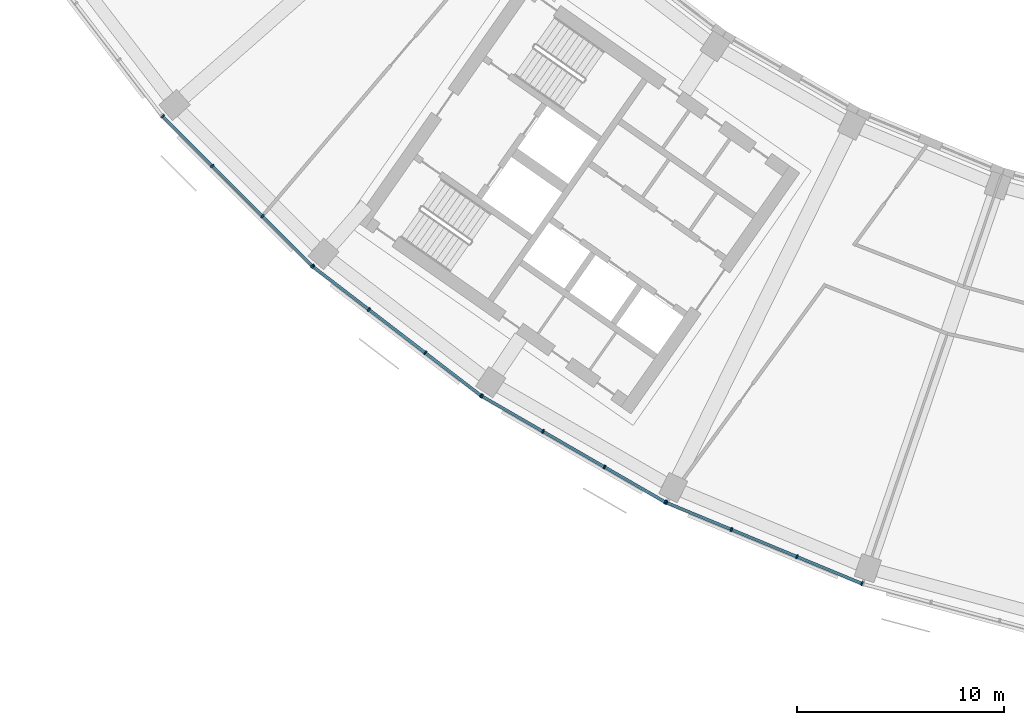
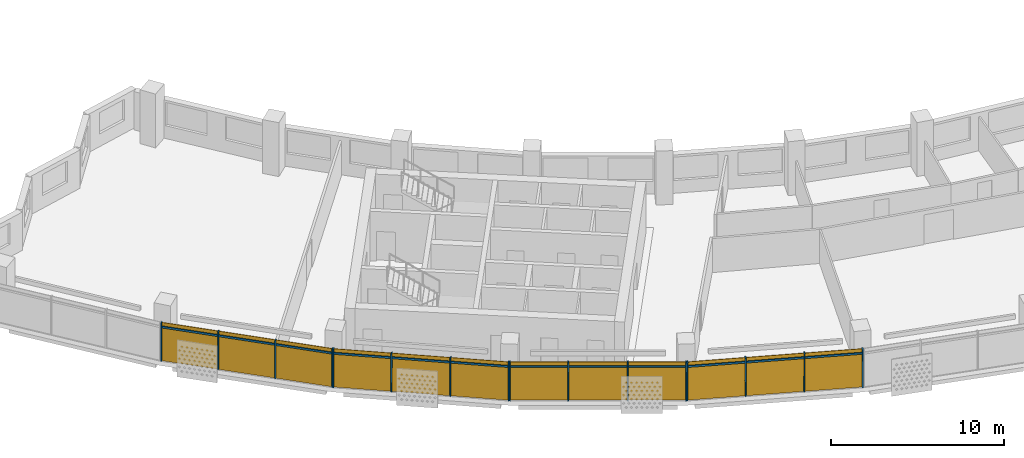
# One storey, part 17 of 27: 28 members, 4 curtain walls.
"""IFC4 building model written with IfcOpenShell, lengths in metres."""

from ifc_helpers import new_model, si_unit, direction, frame, origin, origin_2d, place, context, subcontext, project, spatial, rectangle, extrude, material, material_profile, profile_set, type_object, element, aggregate, save


model = new_model("IFC4")

# Units and contexts
model_context = context("Model", 3, precision=1e-05, world=origin(), true_north=direction((0.0, 1.0)))
body_context = subcontext(model_context, "Body", "Model", "MODEL_VIEW")
ifc_project = project(units=[si_unit("LENGTHUNIT", "METRE"), si_unit("AREAUNIT", "SQUARE_METRE"), si_unit("VOLUMEUNIT", "CUBIC_METRE"), si_unit("PLANEANGLEUNIT", "RADIAN"), si_unit("MASSUNIT", "GRAM", prefix="KILO")], contexts=[model_context])

# Member
ifc_material = material(Name="Aluminium 6063-T6 anodised", Category="aluminium")
ifc_material_profile_1 = material_profile(ifc_material, rectangle(XDim=0.199951171875, YDim=0.070068359375, at=origin_2d()))
ifc_profile_set_1 = profile_set([ifc_material_profile_1], Name="Aluminium 6063-T6 anodised")
member_type_1 = type_object("IfcMemberType", Name="Mullion 70 x 200 aluminium", PredefinedType="MULLION", material=ifc_profile_set_1)
site_placement = place(None, origin())
building_placement = place(site_placement, origin())
storey_placement = place(building_placement, frame((0.0, 0.0, 222.699951171875)))
member_1_placement = place(storey_placement, frame((-59.03662109375, -51.8115234375, 0.0), z_axis=(0.0, 0.0, 1.0), x_axis=(0.707106781187, 0.707106781187, 0.0)))
member_1 = element("IfcMember", 1, at=member_1_placement, type_object=member_type_1, Name="e-cw1-L53-out02/M00", PredefinedType="MULLION", context=body_context, shape_type="SweptSolid", body=[
    extrude(rectangle(XDim=0.199951171875, YDim=0.070068359375, at=origin_2d()), origin(), (0.0, 0.0, 1.0), 2.699951171875),
])

member_2_placement = place(storey_placement, frame((-56.63671875, -54.211669921875, 0.0), z_axis=(0.0, 0.0, 1.0), x_axis=(0.707106781187, 0.707106781187, 0.0)))
member_2 = element("IfcMember", 2, at=member_2_placement, type_object=member_type_1, Name="e-cw1-L53-out02/M01", PredefinedType="MULLION", context=body_context, shape_type="SweptSolid", body=[
    extrude(rectangle(XDim=0.199951171875, YDim=0.070068359375, at=origin_2d()), origin(), (0.0, 0.0, 1.0), 2.699951171875),
])

member_3_placement = place(storey_placement, frame((-54.211669921875, -56.63671875, 0.0), z_axis=(0.0, 0.0, 1.0), x_axis=(0.707106781187, 0.707106781187, 0.0)))
member_3 = element("IfcMember", 3, at=member_3_placement, type_object=member_type_1, Name="e-cw1-L53-out02/M02", PredefinedType="MULLION", context=body_context, shape_type="SweptSolid", body=[
    extrude(rectangle(XDim=0.199951171875, YDim=0.070068359375, at=origin_2d()), origin(), (0.0, 0.0, 1.0), 2.699951171875),
])

member_4_placement = place(storey_placement, frame((-51.8115234375, -59.03662109375, 0.0), z_axis=(0.0, 0.0, 1.0), x_axis=(0.707106781187, 0.707106781187, 0.0)))
member_4 = element("IfcMember", 4, at=member_4_placement, type_object=member_type_1, Name="e-cw1-L53-out02/M03", PredefinedType="MULLION", context=body_context, shape_type="SweptSolid", body=[
    extrude(rectangle(XDim=0.199951171875, YDim=0.070068359375, at=origin_2d()), origin(), (0.0, 0.0, 1.0), 2.699951171875),
])

member_5_placement = place(storey_placement, frame((-51.768798828125, -59.07421875, 0.0), z_axis=(0.0, 0.0, 1.0), x_axis=(0.608761429009, 0.793353340291, 0.0)))
member_5 = element("IfcMember", 5, at=member_5_placement, type_object=member_type_1, Name="e-cw1-L53-out03/M00", PredefinedType="MULLION", context=body_context, shape_type="SweptSolid", body=[
    extrude(rectangle(XDim=0.199951171875, YDim=0.070068359375, at=origin_2d()), origin(), (0.0, 0.0, 1.0), 2.699951171875),
])

member_6_placement = place(storey_placement, frame((-49.075927734375, -61.140380859375, 0.0), z_axis=(0.0, 0.0, 1.0), x_axis=(0.608761429009, 0.793353340291, 0.0)))
member_6 = element("IfcMember", 6, at=member_6_placement, type_object=member_type_1, Name="e-cw1-L53-out03/M01", PredefinedType="MULLION", context=body_context, shape_type="SweptSolid", body=[
    extrude(rectangle(XDim=0.199951171875, YDim=0.070068359375, at=origin_2d()), origin(), (0.0, 0.0, 1.0), 2.699951171875),
])

member_7_placement = place(storey_placement, frame((-46.35546875, -63.22802734375, 0.0), z_axis=(0.0, 0.0, 1.0), x_axis=(0.608761429009, 0.793353340291, 0.0)))
member_7 = element("IfcMember", 7, at=member_7_placement, type_object=member_type_1, Name="e-cw1-L53-out03/M02", PredefinedType="MULLION", context=body_context, shape_type="SweptSolid", body=[
    extrude(rectangle(XDim=0.199951171875, YDim=0.070068359375, at=origin_2d()), origin(), (0.0, 0.0, 1.0), 2.699951171875),
])

member_8_placement = place(storey_placement, frame((-43.66259765625, -65.29443359375, 0.0), z_axis=(0.0, 0.0, 1.0), x_axis=(0.608761429009, 0.793353340291, 0.0)))
member_8 = element("IfcMember", 8, at=member_8_placement, type_object=member_type_1, Name="e-cw1-L53-out03/M03", PredefinedType="MULLION", context=body_context, shape_type="SweptSolid", body=[
    extrude(rectangle(XDim=0.199951171875, YDim=0.070068359375, at=origin_2d()), origin(), (0.0, 0.0, 1.0), 2.699951171875),
])

member_9_placement = place(storey_placement, frame((-43.615234375, -65.325927734375, 0.0), z_axis=(0.0, 0.0, 1.0), x_axis=(0.5, 0.866025403784, 0.0)))
member_9 = element("IfcMember", 9, at=member_9_placement, type_object=member_type_1, Name="e-cw1-L53-out04/M00", PredefinedType="MULLION", context=body_context, shape_type="SweptSolid", body=[
    extrude(rectangle(XDim=0.199951171875, YDim=0.070068359375, at=origin_2d()), origin(), (0.0, 0.0, 1.0), 2.699951171875),
])

member_10_placement = place(storey_placement, frame((-40.67578125, -67.023193359375, 0.0), z_axis=(0.0, 0.0, 1.0), x_axis=(0.5, 0.866025403784, 0.0)))
member_10 = element("IfcMember", 10, at=member_10_placement, type_object=member_type_1, Name="e-cw1-L53-out04/M01", PredefinedType="MULLION", context=body_context, shape_type="SweptSolid", body=[
    extrude(rectangle(XDim=0.199951171875, YDim=0.070068359375, at=origin_2d()), origin(), (0.0, 0.0, 1.0), 2.699951171875),
])

member_11_placement = place(storey_placement, frame((-37.705810546875, -68.73779296875, 0.0), z_axis=(0.0, 0.0, 1.0), x_axis=(0.5, 0.866025403784, 0.0)))
member_11 = element("IfcMember", 11, at=member_11_placement, type_object=member_type_1, Name="e-cw1-L53-out04/M02", PredefinedType="MULLION", context=body_context, shape_type="SweptSolid", body=[
    extrude(rectangle(XDim=0.199951171875, YDim=0.070068359375, at=origin_2d()), origin(), (0.0, 0.0, 1.0), 2.699951171875),
])

member_12_placement = place(storey_placement, frame((-34.766357421875, -70.43505859375, 0.0), z_axis=(0.0, 0.0, 1.0), x_axis=(0.5, 0.866025403784, 0.0)))
member_12 = element("IfcMember", 12, at=member_12_placement, type_object=member_type_1, Name="e-cw1-L53-out04/M03", PredefinedType="MULLION", context=body_context, shape_type="SweptSolid", body=[
    extrude(rectangle(XDim=0.199951171875, YDim=0.070068359375, at=origin_2d()), origin(), (0.0, 0.0, 1.0), 2.699951171875),
])

member_13_placement = place(storey_placement, frame((-34.71533203125, -70.4599609375, 0.0), z_axis=(0.0, 0.0, 1.0), x_axis=(0.382683432365, 0.923879532511, 0.0)))
member_13 = element("IfcMember", 13, at=member_13_placement, type_object=member_type_1, Name="e-cw1-L53-out05/M00", PredefinedType="MULLION", context=body_context, shape_type="SweptSolid", body=[
    extrude(rectangle(XDim=0.199951171875, YDim=0.070068359375, at=origin_2d()), origin(), (0.0, 0.0, 1.0), 2.699951171875),
])

member_14_placement = place(storey_placement, frame((-31.57958984375, -71.759033203125, 0.0), z_axis=(0.0, 0.0, 1.0), x_axis=(0.382683432365, 0.923879532511, 0.0)))
member_14 = element("IfcMember", 14, at=member_14_placement, type_object=member_type_1, Name="e-cw1-L53-out05/M01", PredefinedType="MULLION", context=body_context, shape_type="SweptSolid", body=[
    extrude(rectangle(XDim=0.199951171875, YDim=0.070068359375, at=origin_2d()), origin(), (0.0, 0.0, 1.0), 2.699951171875),
])

member_15_placement = place(storey_placement, frame((-28.4111328125, -73.0712890625, 0.0), z_axis=(0.0, 0.0, 1.0), x_axis=(0.382683432365, 0.923879532511, 0.0)))
member_15 = element("IfcMember", 15, at=member_15_placement, type_object=member_type_1, Name="e-cw1-L53-out05/M02", PredefinedType="MULLION", context=body_context, shape_type="SweptSolid", body=[
    extrude(rectangle(XDim=0.199951171875, YDim=0.070068359375, at=origin_2d()), origin(), (0.0, 0.0, 1.0), 2.699951171875),
])

member_16_placement = place(storey_placement, frame((-25.275390625, -74.370361328125, 0.0), z_axis=(0.0, 0.0, 1.0), x_axis=(0.382683432365, 0.923879532511, 0.0)))
member_16 = element("IfcMember", 16, at=member_16_placement, type_object=member_type_1, Name="e-cw1-L53-out05/M03", PredefinedType="MULLION", context=body_context, shape_type="SweptSolid", body=[
    extrude(rectangle(XDim=0.199951171875, YDim=0.070068359375, at=origin_2d()), origin(), (0.0, 0.0, 1.0), 2.699951171875),
])

ifc_material_profile_2 = material_profile(ifc_material, rectangle(XDim=0.139892578125, YDim=0.1201171875, at=origin_2d()))
ifc_profile_set_2 = profile_set([ifc_material_profile_2], Name="Aluminium 6063-T6 anodised")
member_type_2 = type_object("IfcMemberType", Name="Transom 120 x 140 aluminium", PredefinedType="USERDEFINED", material=ifc_profile_set_2)
member_17_placement = place(storey_placement, frame((-59.011962890625, -51.83642578125, 2.400146484375), z_axis=(0.707106781187, -0.707106781187, 0.0), x_axis=(0.707106781187, 0.707106781187, 0.0)))
member_17 = element("IfcMember", 17, at=member_17_placement, type_object=member_type_2, Name="e-cw1-L53-out02/T00", ObjectType="TRANSOM", PredefinedType="USERDEFINED", context=body_context, shape_type="SweptSolid", body=[
    extrude(rectangle(XDim=0.139892578125, YDim=0.1201171875, at=origin_2d()), origin(), (0.0, 0.0, 1.0), 3.32421875),
])

member_18_placement = place(storey_placement, frame((-56.61181640625, -54.236572265625, 2.400146484375), z_axis=(0.707106781187, -0.707106781187, 0.0), x_axis=(0.707106781187, 0.707106781187, 0.0)))
member_18 = element("IfcMember", 18, at=member_18_placement, type_object=member_type_2, Name="e-cw1-L53-out02/T01", ObjectType="TRANSOM", PredefinedType="USERDEFINED", context=body_context, shape_type="SweptSolid", body=[
    extrude(rectangle(XDim=0.139892578125, YDim=0.1201171875, at=origin_2d()), origin(), (0.0, 0.0, 1.0), 3.359130859375),
])

member_19_placement = place(storey_placement, frame((-54.18701171875, -56.661376953125, 2.400146484375), z_axis=(0.707106781187, -0.707106781187, 0.0), x_axis=(0.707106781187, 0.707106781187, 0.0)))
member_19 = element("IfcMember", 19, at=member_19_placement, type_object=member_type_2, Name="e-cw1-L53-out02/T02", ObjectType="TRANSOM", PredefinedType="USERDEFINED", context=body_context, shape_type="SweptSolid", body=[
    extrude(rectangle(XDim=0.139892578125, YDim=0.1201171875, at=origin_2d()), origin(), (0.0, 0.0, 1.0), 3.32421875),
])

member_20_placement = place(storey_placement, frame((-51.7412109375, -59.095458984375, 2.400146484375), z_axis=(0.793368713958, -0.608741393132, 0.0), x_axis=(0.608741393132, 0.793368713958, 0.0)))
member_20 = element("IfcMember", 20, at=member_20_placement, type_object=member_type_2, Name="e-cw1-L53-out03/T00", ObjectType="TRANSOM", PredefinedType="USERDEFINED", context=body_context, shape_type="SweptSolid", body=[
    extrude(rectangle(XDim=0.139892578125, YDim=0.1201171875, at=origin_2d()), origin(), (0.0, 0.0, 1.0), 3.324462890625),
])

member_21_placement = place(storey_placement, frame((-49.04833984375, -61.161865234375, 2.400146484375), z_axis=(0.793385234627, -0.608719861247, 0.0), x_axis=(0.608719861247, 0.793385234627, 0.0)))
member_21 = element("IfcMember", 21, at=member_21_placement, type_object=member_type_2, Name="e-cw1-L53-out03/T01", ObjectType="TRANSOM", PredefinedType="USERDEFINED", context=body_context, shape_type="SweptSolid", body=[
    extrude(rectangle(XDim=0.139892578125, YDim=0.1201171875, at=origin_2d()), origin(), (0.0, 0.0, 1.0), 3.359375),
])

member_22_placement = place(storey_placement, frame((-46.32763671875, -63.24951171875, 2.400146484375), z_axis=(0.793368713958, -0.608741393132, 0.0), x_axis=(0.608741393132, 0.793368713958, 0.0)))
member_22 = element("IfcMember", 22, at=member_22_placement, type_object=member_type_2, Name="e-cw1-L53-out03/T02", ObjectType="TRANSOM", PredefinedType="USERDEFINED", context=body_context, shape_type="SweptSolid", body=[
    extrude(rectangle(XDim=0.139892578125, YDim=0.1201171875, at=origin_2d()), origin(), (0.0, 0.0, 1.0), 3.324462890625),
])

member_23_placement = place(storey_placement, frame((-43.5849609375, -65.343505859375, 2.400146484375), z_axis=(0.866029041019, -0.499993700073, 0.0), x_axis=(0.499993700073, 0.866029041019, 0.0)))
member_23 = element("IfcMember", 23, at=member_23_placement, type_object=member_type_2, Name="e-cw1-L53-out04/T00", ObjectType="TRANSOM", PredefinedType="USERDEFINED", context=body_context, shape_type="SweptSolid", body=[
    extrude(rectangle(XDim=0.139892578125, YDim=0.1201171875, at=origin_2d()), origin(), (0.0, 0.0, 1.0), 3.32421875),
])

member_24_placement = place(storey_placement, frame((-40.6455078125, -67.04052734375, 2.400146484375), z_axis=(0.866034314054, -0.499984566643, 0.0), x_axis=(0.499984566643, 0.866034314054, 0.0)))
member_24 = element("IfcMember", 24, at=member_24_placement, type_object=member_type_2, Name="e-cw1-L53-out04/T01", ObjectType="TRANSOM", PredefinedType="USERDEFINED", context=body_context, shape_type="SweptSolid", body=[
    extrude(rectangle(XDim=0.139892578125, YDim=0.1201171875, at=origin_2d()), origin(), (0.0, 0.0, 1.0), 3.359375),
])

member_25_placement = place(storey_placement, frame((-37.675537109375, -68.75537109375, 2.400146484375), z_axis=(0.866029041019, -0.499993700073, 0.0), x_axis=(0.499993700073, 0.866029041019, 0.0)))
member_25 = element("IfcMember", 25, at=member_25_placement, type_object=member_type_2, Name="e-cw1-L53-out04/T02", ObjectType="TRANSOM", PredefinedType="USERDEFINED", context=body_context, shape_type="SweptSolid", body=[
    extrude(rectangle(XDim=0.139892578125, YDim=0.1201171875, at=origin_2d()), origin(), (0.0, 0.0, 1.0), 3.32421875),
])

member_26_placement = place(storey_placement, frame((-34.68310546875, -70.473388671875, 2.400146484375), z_axis=(0.923874511193, -0.382695554676, 0.0), x_axis=(0.382695554676, 0.923874511193, 0.0)))
member_26 = element("IfcMember", 26, at=member_26_placement, type_object=member_type_2, Name="e-cw1-L53-out05/T00", ObjectType="TRANSOM", PredefinedType="USERDEFINED", context=body_context, shape_type="SweptSolid", body=[
    extrude(rectangle(XDim=0.139892578125, YDim=0.1201171875, at=origin_2d()), origin(), (0.0, 0.0, 1.0), 3.324462890625),
])

member_27_placement = place(storey_placement, frame((-31.547119140625, -71.7724609375, 2.400146484375), z_axis=(0.923891938088, -0.38265348128, 0.0), x_axis=(0.38265348128, 0.923891938088, 0.0)))
member_27 = element("IfcMember", 27, at=member_27_placement, type_object=member_type_2, Name="e-cw1-L53-out05/T01", ObjectType="TRANSOM", PredefinedType="USERDEFINED", context=body_context, shape_type="SweptSolid", body=[
    extrude(rectangle(XDim=0.139892578125, YDim=0.1201171875, at=origin_2d()), origin(), (0.0, 0.0, 1.0), 3.359130859375),
])

member_28_placement = place(storey_placement, frame((-28.37890625, -73.084716796875, 2.400146484375), z_axis=(0.923874511193, -0.382695554676, 0.0), x_axis=(0.382695554676, 0.923874511193, 0.0)))
member_28 = element("IfcMember", 28, at=member_28_placement, type_object=member_type_2, Name="e-cw1-L53-out05/T02", ObjectType="TRANSOM", PredefinedType="USERDEFINED", context=body_context, shape_type="SweptSolid", body=[
    extrude(rectangle(XDim=0.139892578125, YDim=0.1201171875, at=origin_2d()), origin(), (0.0, 0.0, 1.0), 3.324462890625),
])

# Site, building, storey
site = spatial("IfcSite", under=ifc_project, at=site_placement, CompositionType="ELEMENT")
building = spatial("IfcBuilding", under=site, at=building_placement, Name="Qamariyya Broadcast Tower", CompositionType="ELEMENT")
storey = spatial("IfcBuildingStorey", under=building, at=storey_placement, Name="L53", CompositionType="ELEMENT", Elevation=222.699951171875)

# Curtain wall
curtain_wall_type = type_object("IfcCurtainWallType", Name="Unitised curtain wall, anodised aluminium", PredefinedType="NOTDEFINED", material=ifc_material)
curtain_wall_1_placement = place(storey_placement, origin())
curtain_wall_1 = element("IfcCurtainWall", 29, at=curtain_wall_1_placement, inside=storey, type_object=curtain_wall_type, Name="e-cw1-L53-out02", PredefinedType="NOTDEFINED", context=body_context, shape_type="SweptSolid", body=[
    extrude(rectangle(XDim=3.32421875, YDim=0.031982421875, at=origin_2d()), frame((-57.836669921875, -53.01171875, 0.0), x_axis=(0.707106781187, -0.707106781187, 0.0)), (0.0, 0.0, 1.0), 2.340087890625),
    extrude(rectangle(XDim=3.32421875, YDim=0.031982421875, at=origin_2d()), frame((-57.836669921875, -53.01171875, 2.4599609375), x_axis=(0.707106781187, -0.707106781187, 0.0)), (0.0, 0.0, 1.0), 0.239990234375),
    extrude(rectangle(XDim=3.359375, YDim=0.031982421875, at=origin_2d()), frame((-55.42431640625, -55.42431640625, 0.0), x_axis=(0.707106781187, -0.707106781187, 0.0)), (0.0, 0.0, 1.0), 2.340087890625),
    extrude(rectangle(XDim=3.359375, YDim=0.031982421875, at=origin_2d()), frame((-55.42431640625, -55.42431640625, 2.4599609375), x_axis=(0.707106781187, -0.707106781187, 0.0)), (0.0, 0.0, 1.0), 0.239990234375),
    extrude(rectangle(XDim=3.32421875, YDim=0.031982421875, at=origin_2d()), frame((-53.01171875, -57.836669921875, 0.0), x_axis=(0.707106781187, -0.707106781187, 0.0)), (0.0, 0.0, 1.0), 2.340087890625),
    extrude(rectangle(XDim=3.32421875, YDim=0.031982421875, at=origin_2d()), frame((-53.01171875, -57.836669921875, 2.4599609375), x_axis=(0.707106781187, -0.707106781187, 0.0)), (0.0, 0.0, 1.0), 0.239990234375),
])

aggregate(curtain_wall_1, [member_1, member_2, member_3, member_4, member_17, member_18, member_19])

curtain_wall_2_placement = place(storey_placement, origin())
curtain_wall_2 = element("IfcCurtainWall", 30, at=curtain_wall_2_placement, inside=storey, type_object=curtain_wall_type, Name="e-cw1-L53-out03", PredefinedType="NOTDEFINED", context=body_context, shape_type="SweptSolid", body=[
    extrude(rectangle(XDim=3.32421875, YDim=0.031982421875, at=origin_2d()), frame((-50.42236328125, -60.107421875, 0.0), x_axis=(0.793359168734, -0.608753833159, 0.0)), (0.0, 0.0, 1.0), 2.340087890625),
    extrude(rectangle(XDim=3.32421875, YDim=0.031982421875, at=origin_2d()), frame((-50.42236328125, -60.107421875, 2.4599609375), x_axis=(0.793359168734, -0.608753833159, 0.0)), (0.0, 0.0, 1.0), 0.239990234375),
    extrude(rectangle(XDim=3.359130859375, YDim=0.031982421875, at=origin_2d()), frame((-47.7158203125, -62.184326171875, 0.0), x_axis=(0.793359168734, -0.608753833159, 0.0)), (0.0, 0.0, 1.0), 2.340087890625),
    extrude(rectangle(XDim=3.359130859375, YDim=0.031982421875, at=origin_2d()), frame((-47.7158203125, -62.184326171875, 2.4599609375), x_axis=(0.793359168734, -0.608753833159, 0.0)), (0.0, 0.0, 1.0), 0.239990234375),
    extrude(rectangle(XDim=3.32421875, YDim=0.031982421875, at=origin_2d()), frame((-45.009033203125, -64.26123046875, 0.0), x_axis=(0.793359168734, -0.608753833159, 0.0)), (0.0, 0.0, 1.0), 2.340087890625),
    extrude(rectangle(XDim=3.32421875, YDim=0.031982421875, at=origin_2d()), frame((-45.009033203125, -64.26123046875, 2.4599609375), x_axis=(0.793359168734, -0.608753833159, 0.0)), (0.0, 0.0, 1.0), 0.239990234375),
])

aggregate(curtain_wall_2, [member_5, member_6, member_7, member_8, member_20, member_21, member_22])

curtain_wall_3_placement = place(storey_placement, origin())
curtain_wall_3 = element("IfcCurtainWall", 31, at=curtain_wall_3_placement, inside=storey, type_object=curtain_wall_type, Name="e-cw1-L53-out04", PredefinedType="NOTDEFINED", context=body_context, shape_type="SweptSolid", body=[
    extrude(rectangle(XDim=3.32421875, YDim=0.031982421875, at=origin_2d()), frame((-42.1455078125, -66.174560546875, 0.0), x_axis=(0.866027904674, -0.499995668308, 0.0)), (0.0, 0.0, 1.0), 2.340087890625),
    extrude(rectangle(XDim=3.32421875, YDim=0.031982421875, at=origin_2d()), frame((-42.1455078125, -66.174560546875, 2.4599609375), x_axis=(0.866027904674, -0.499995668308, 0.0)), (0.0, 0.0, 1.0), 0.239990234375),
    extrude(rectangle(XDim=3.359130859375, YDim=0.031982421875, at=origin_2d()), frame((-39.19091796875, -67.88037109375, 0.0), x_axis=(0.866027904674, -0.499995668308, 0.0)), (0.0, 0.0, 1.0), 2.340087890625),
    extrude(rectangle(XDim=3.359130859375, YDim=0.031982421875, at=origin_2d()), frame((-39.19091796875, -67.88037109375, 2.4599609375), x_axis=(0.866027904674, -0.499995668308, 0.0)), (0.0, 0.0, 1.0), 0.239990234375),
    extrude(rectangle(XDim=3.32421875, YDim=0.031982421875, at=origin_2d()), frame((-36.236083984375, -69.58642578125, 0.0), x_axis=(0.866027904674, -0.499995668308, 0.0)), (0.0, 0.0, 1.0), 2.340087890625),
    extrude(rectangle(XDim=3.32421875, YDim=0.031982421875, at=origin_2d()), frame((-36.236083984375, -69.58642578125, 2.4599609375), x_axis=(0.866027904674, -0.499995668308, 0.0)), (0.0, 0.0, 1.0), 0.239990234375),
])

aggregate(curtain_wall_3, [member_9, member_10, member_11, member_12, member_23, member_24, member_25])

curtain_wall_4_placement = place(storey_placement, origin())
curtain_wall_4 = element("IfcCurtainWall", 32, at=curtain_wall_4_placement, inside=storey, type_object=curtain_wall_type, Name="e-cw1-L53-out05", PredefinedType="NOTDEFINED", context=body_context, shape_type="SweptSolid", body=[
    extrude(rectangle(XDim=3.32421875, YDim=0.031982421875, at=origin_2d()), frame((-33.1474609375, -71.109375, 0.0), x_axis=(0.923880895135, -0.382680142683, 0.0)), (0.0, 0.0, 1.0), 2.340087890625),
    extrude(rectangle(XDim=3.32421875, YDim=0.031982421875, at=origin_2d()), frame((-33.1474609375, -71.109375, 2.4599609375), x_axis=(0.923880895135, -0.382680142683, 0.0)), (0.0, 0.0, 1.0), 0.239990234375),
    extrude(rectangle(XDim=3.359375, YDim=0.031982421875, at=origin_2d()), frame((-29.995361328125, -72.4150390625, 0.0), x_axis=(0.923880895135, -0.382680142683, 0.0)), (0.0, 0.0, 1.0), 2.340087890625),
    extrude(rectangle(XDim=3.359375, YDim=0.031982421875, at=origin_2d()), frame((-29.995361328125, -72.4150390625, 2.4599609375), x_axis=(0.923880895135, -0.382680142683, 0.0)), (0.0, 0.0, 1.0), 0.239990234375),
    extrude(rectangle(XDim=3.32421875, YDim=0.031982421875, at=origin_2d()), frame((-26.84326171875, -73.720703125, 0.0), x_axis=(0.923880895135, -0.382680142683, 0.0)), (0.0, 0.0, 1.0), 2.340087890625),
    extrude(rectangle(XDim=3.32421875, YDim=0.031982421875, at=origin_2d()), frame((-26.84326171875, -73.720703125, 2.4599609375), x_axis=(0.923880895135, -0.382680142683, 0.0)), (0.0, 0.0, 1.0), 0.239990234375),
])

aggregate(curtain_wall_4, [member_13, member_14, member_15, member_16, member_26, member_27, member_28])

save(model, "model.ifc")
